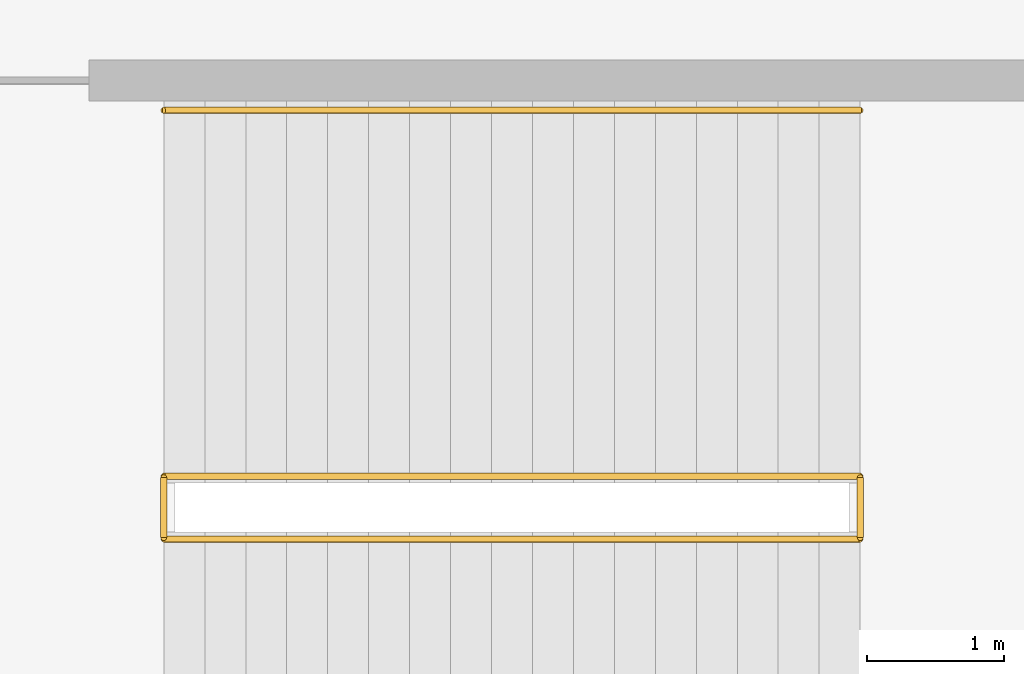
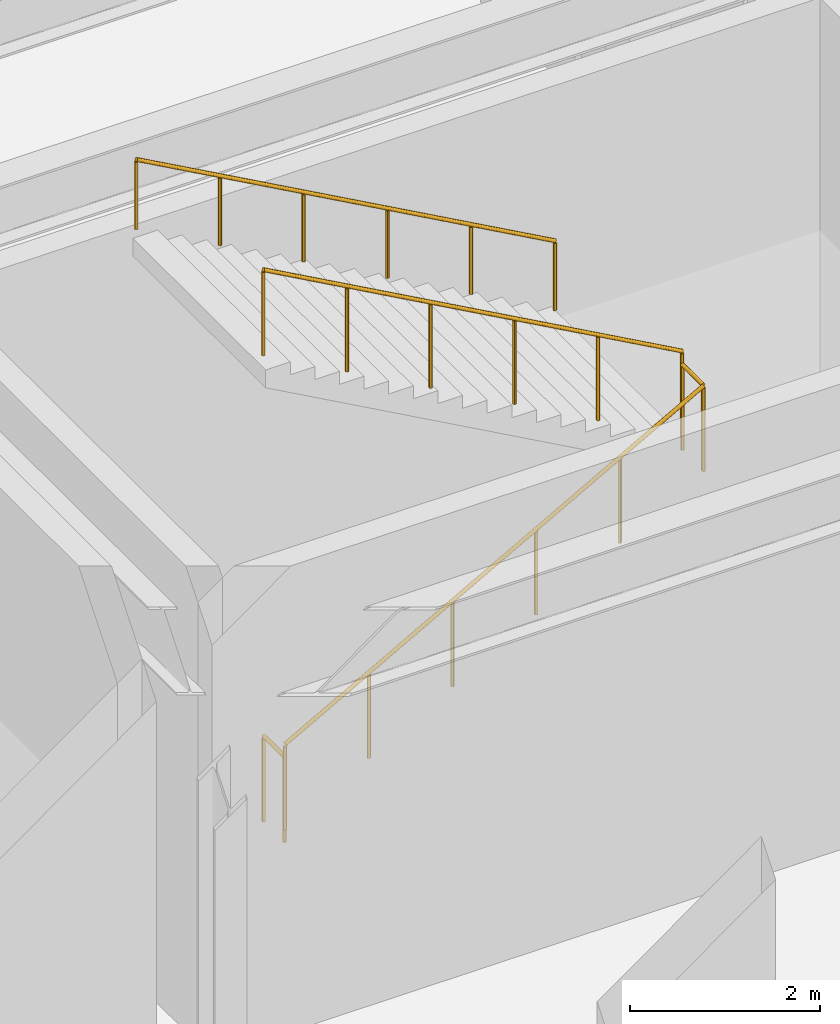
# One storey, part 108 of 108: 5 railings.
"""IFC4 building model written with IfcOpenShell, lengths in metres."""

from ifc_helpers import new_model, si_unit, direction, frame, origin, origin_2d, place, context, subcontext, project, spatial, circle, extrude, material, type_object, element, save


model = new_model("IFC4")

# Units and contexts
model_context = context("Model", 3, precision=1e-05, world=origin(), true_north=direction((0.0, 1.0)))
body_context = subcontext(model_context, "Body", "Model", "MODEL_VIEW")
ifc_project = project(units=[si_unit("LENGTHUNIT", "METRE"), si_unit("AREAUNIT", "SQUARE_METRE"), si_unit("VOLUMEUNIT", "CUBIC_METRE"), si_unit("PLANEANGLEUNIT", "RADIAN"), si_unit("MASSUNIT", "GRAM", prefix="KILO")], contexts=[model_context])

# Site, building, storey
site_placement = place(None, origin())
site = spatial("IfcSite", under=ifc_project, at=site_placement, CompositionType="ELEMENT")
building_placement = place(site_placement, origin())
building = spatial("IfcBuilding", under=site, at=building_placement, Name="Kaldorvane Square Convention Centre", CompositionType="ELEMENT")
storey_placement = place(building_placement, frame((0.0, 0.0, 12.0)))
storey = spatial("IfcBuildingStorey", under=building, at=storey_placement, Name="L02", CompositionType="ELEMENT", Elevation=12.0)

# Railings
ifc_material = material(Name="Architectural Painted Steel", Category="steel")
railing_type_1 = type_object("IfcRailingType", Name="RL-GUARD-1120", PredefinedType="BALUSTRADE", material=ifc_material)
for number, where, name in (
    (1, (128.99000549316406, 75.86000061035156, 0.0), "Convention Exit Stair C18 Floor Well Guard (L02)"),
    (2, (134.08999633789062, 75.86000061035156, 3.0), "Convention Exit Stair C18 Half-Landing Guard (L02)"),
):
    element("IfcRailing", number, at=place(storey_placement, frame(where)), inside=storey, type_object=railing_type_1, Name=name, PredefinedType="BALUSTRADE", context=body_context, shape_type="SweptSolid", body=[
        extrude(circle(Radius=0.0240020751953125, at=origin_2d()), frame((0.0, 0.0, 1.0959930419921875), z_axis=(0.0, 1.0, 0.0), x_axis=(-1.0, 0.0, 0.0)), (0.0, 0.0, 1.0), 0.44000244140625),
        extrude(circle(Radius=0.02099609375, at=origin_2d()), origin(), (0.0, 0.0, 1.0), 1.071990966796875),
        extrude(circle(Radius=0.02099609375, at=origin_2d()), frame((0.0, 0.44000244140625, 0.0)), (0.0, 0.0, 1.0), 1.071990966796875),
    ])
railing_1_placement = place(storey_placement, frame((128.99000549316406, 75.85000610351562, 0.1666717529296875)))
element("IfcRailing", 3, at=railing_1_placement, inside=storey, type_object=railing_type_1, Name="Convention Exit Stair C18 Flight 1 Guard (L02)", PredefinedType="BALUSTRADE", context=body_context, shape_type="SweptSolid", body=[
    extrude(circle(Radius=0.0240020751953125, at=origin_2d()), frame((0.0, 0.0, 1.0959930419921875), z_axis=(0.874157276122, 0.0, 0.485642931179), x_axis=(0.0, 1.0, 0.0)), (0.0, 0.0, 1.0), 5.8341827392578125),
    extrude(circle(Radius=0.02099609375, at=origin_2d()), origin(), (0.0, 0.0, 1.0), 1.071990966796875),
    extrude(circle(Radius=0.02099609375, at=origin_2d()), frame((1.0200042724609375, 0.0, 0.5666656494140625)), (0.0, 0.0, 1.0), 1.071990966796875),
    extrude(circle(Radius=0.02099609375, at=origin_2d()), frame((2.0399932861328125, 0.0, 1.133331298828125)), (0.0, 0.0, 1.0), 1.071990966796875),
    extrude(circle(Radius=0.02099609375, at=origin_2d()), frame((3.05999755859375, 0.0, 1.6999969482421875)), (0.0, 0.0, 1.0), 1.071990966796875),
    extrude(circle(Radius=0.02099609375, at=origin_2d()), frame((4.079986572265625, 0.0, 2.26666259765625)), (0.0, 0.0, 1.0), 1.071990966796875),
    extrude(circle(Radius=0.02099609375, at=origin_2d()), frame((5.0999908447265625, 0.0, 2.8333282470703125)), (0.0, 0.0, 1.0), 1.071990966796875),
])
railing_2_placement = place(storey_placement, frame((134.08999633789062, 76.30999755859375, 3.1666717529296875)))
element("IfcRailing", 4, at=railing_2_placement, inside=storey, type_object=railing_type_1, Name="Convention Exit Stair C18 Flight 2 Guard (L02)", PredefinedType="BALUSTRADE", context=body_context, shape_type="SweptSolid", body=[
    extrude(circle(Radius=0.0240020751953125, at=origin_2d()), frame((0.0, 0.0, 1.0959930419921875), z_axis=(-0.874157276122, 0.0, 0.485642931179), x_axis=(0.0, -1.0, 0.0)), (0.0, 0.0, 1.0), 5.8341827392578125),
    extrude(circle(Radius=0.02099609375, at=origin_2d()), origin(), (0.0, 0.0, 1.0), 1.071990966796875),
    extrude(circle(Radius=0.02099609375, at=origin_2d()), frame((-1.0200042724609375, 0.0, 0.5666656494140625)), (0.0, 0.0, 1.0), 1.071990966796875),
    extrude(circle(Radius=0.02099609375, at=origin_2d()), frame((-2.0399932861328125, 0.0, 1.133331298828125)), (0.0, 0.0, 1.0), 1.071990966796875),
    extrude(circle(Radius=0.02099609375, at=origin_2d()), frame((-3.05999755859375, 0.0, 1.6999969482421875)), (0.0, 0.0, 1.0), 1.071990966796875),
    extrude(circle(Radius=0.02099609375, at=origin_2d()), frame((-4.079986572265625, 0.0, 2.26666259765625)), (0.0, 0.0, 1.0), 1.071990966796875),
    extrude(circle(Radius=0.02099609375, at=origin_2d()), frame((-5.0999908447265625, 0.0, 2.8333282470703125)), (0.0, 0.0, 1.0), 1.071990966796875),
])
railing_type_2 = type_object("IfcRailingType", Name="RL-HAND-915", PredefinedType="HANDRAIL", material=ifc_material)
railing_3_placement = place(storey_placement, frame((134.08999633789062, 78.99000549316406, 3.1666717529296875)))
element("IfcRailing", 5, at=railing_3_placement, inside=storey, type_object=railing_type_2, Name="Convention Exit Stair C18 Wall Handrail 2 (L02)", PredefinedType="HANDRAIL", context=body_context, shape_type="SweptSolid", body=[
    extrude(circle(Radius=0.0240020751953125, at=origin_2d()), frame((0.0, 0.0, 0.8909912109375), z_axis=(-0.874157276122, 0.0, 0.485642931179), x_axis=(0.0, -1.0, 0.0)), (0.0, 0.0, 1.0), 5.8341827392578125),
    extrude(circle(Radius=0.02099609375, at=origin_2d()), origin(), (0.0, 0.0, 1.0), 0.8669891357421875),
    extrude(circle(Radius=0.02099609375, at=origin_2d()), frame((-1.0200042724609375, 0.0, 0.5666656494140625)), (0.0, 0.0, 1.0), 0.8669891357421875),
    extrude(circle(Radius=0.02099609375, at=origin_2d()), frame((-2.0399932861328125, 0.0, 1.133331298828125)), (0.0, 0.0, 1.0), 0.8669891357421875),
    extrude(circle(Radius=0.02099609375, at=origin_2d()), frame((-3.05999755859375, 0.0, 1.6999969482421875)), (0.0, 0.0, 1.0), 0.8669891357421875),
    extrude(circle(Radius=0.02099609375, at=origin_2d()), frame((-4.079986572265625, 0.0, 2.26666259765625)), (0.0, 0.0, 1.0), 0.8669891357421875),
    extrude(circle(Radius=0.02099609375, at=origin_2d()), frame((-5.0999908447265625, 0.0, 2.8333282470703125)), (0.0, 0.0, 1.0), 0.8669891357421875),
])

save(model, "model.ifc")
